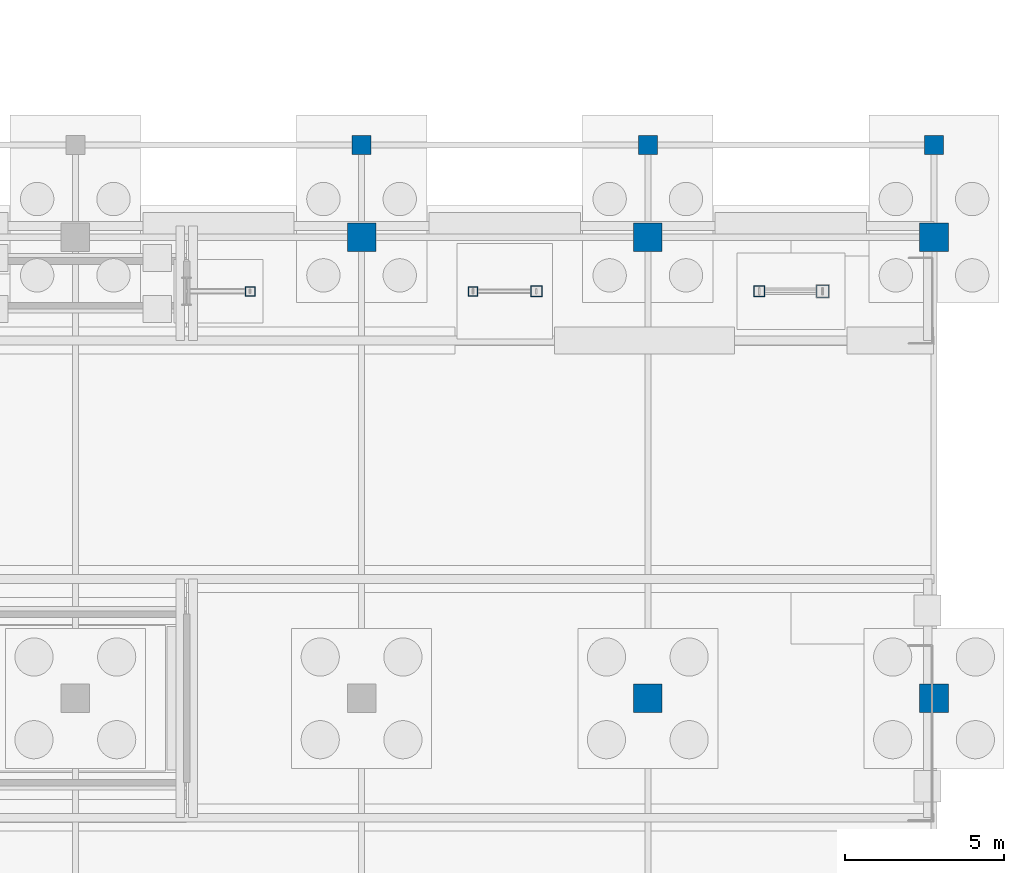
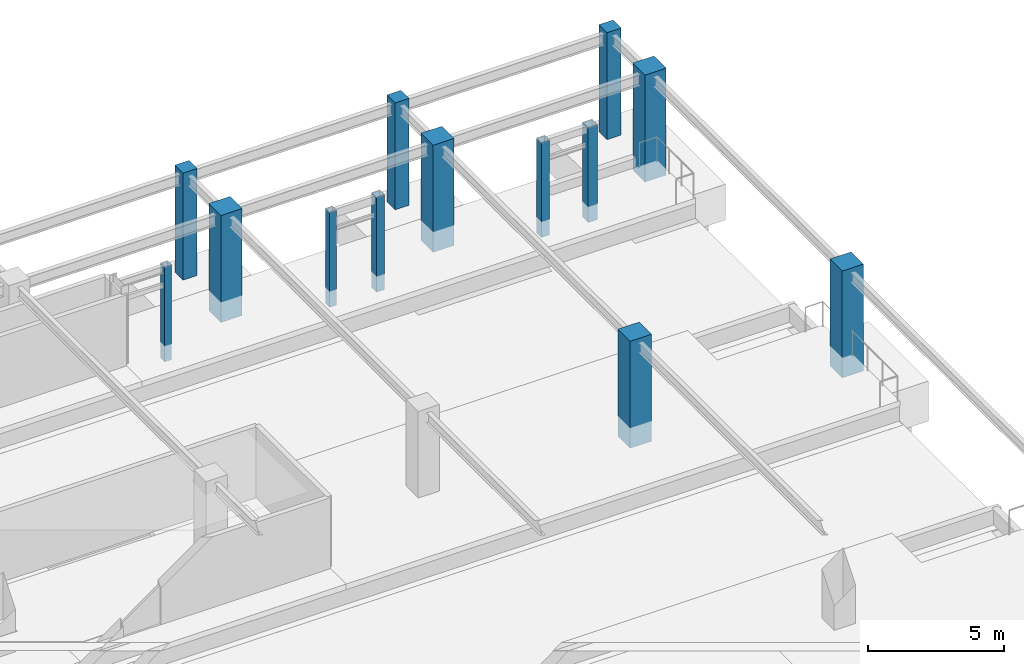
# One storey, part 36 of 160: 13 columns.
"""IFC4 building model written with IfcOpenShell, lengths in metres."""

import ifcopenshell
import ifcopenshell.guid

model = None  # the IFC model being written
_history = None  # IfcOwnerHistory: only IFC2X3 demands one
_inside = {}  # id of a spatial element -> (the spatial element, [elements in it])
_under = {}  # id of a project, library or spatial element -> (it, [spatial elements below it])
_declared = {}  # id of a project -> (the project, [libraries it declares])
_typed = {}  # id of a type object -> (the type object, [elements of that type])
_made_of = {}  # id of a material, layer set ... -> (it, [elements and type objects made of it])


def new_model(schema):
    """Start an empty IFC model of exactly this schema.

    Asked for "IFC4X3", IfcOpenShell would pick the latest addendum, in which some entities
    have other attributes; the version numbers below select the first issue.
    IFC2X3 requires an IfcOwnerHistory on every rooted entity: one is made here for all.
    """
    global model, _history
    if schema == "IFC4X3":
        model = ifcopenshell.file(schema_version=(4, 3, 0, 0))
    else:
        model = ifcopenshell.file(schema=schema)
    _inside.clear()
    _under.clear()
    _declared.clear()
    _typed.clear()
    _made_of.clear()
    _history = None
    if model.schema == "IFC2X3":
        org = make("IfcOrganization", Name="unknown")
        user = make(
            "IfcPersonAndOrganization",
            ThePerson=make("IfcPerson", FamilyName="unknown"),
            TheOrganization=org,
        )
        app = make(
            "IfcApplication",
            ApplicationDeveloper=org,
            Version="unknown",
            ApplicationFullName="unknown",
            ApplicationIdentifier="unknown",
        )
        _history = make(
            "IfcOwnerHistory",
            OwningUser=user,
            OwningApplication=app,
            ChangeAction="ADDED",
            CreationDate=0,
        )
    return model


def make(cls, **values):
    """One entity of the class cls with the attributes given. An attribute that is None is left unset."""
    return model.create_entity(
        cls, **{name: value for name, value in values.items() if value is not None}
    )


def rooted(cls, **values):
    """An entity with a GlobalId (a new one), such as an element, a storey or a relation."""
    return make(cls, GlobalId=ifcopenshell.guid.new(), OwnerHistory=_history, **values)


def si_unit(unit_type, name, prefix=None):
    """IfcSIUnit, for example si_unit("LENGTHUNIT", "METRE", prefix="MILLI")."""
    return make("IfcSIUnit", UnitType=unit_type, Prefix=prefix, Name=name)


def assignment(units):
    """IfcUnitAssignment: the units of a project."""
    return None if units is None else make("IfcUnitAssignment", Units=units)


def point(xyz):
    """IfcCartesianPoint."""
    return None if xyz is None else make("IfcCartesianPoint", Coordinates=xyz)


def direction(xyz):
    """IfcDirection."""
    return None if xyz is None else make("IfcDirection", DirectionRatios=xyz)


def frame(location, z_axis=None, x_axis=None):
    """IfcAxis2Placement3D, a coordinate frame: its origin and axes. An axis left out is left unset."""
    return make(
        "IfcAxis2Placement3D",
        Location=point(location),
        Axis=direction(z_axis),
        RefDirection=direction(x_axis),
    )


def frame_2d(location, x_axis=None):
    """IfcAxis2Placement2D, a coordinate frame in the plane: its origin and x axis."""
    return make(
        "IfcAxis2Placement2D", Location=point(location), RefDirection=direction(x_axis)
    )


def origin():
    """The frame at (0, 0, 0) with its axes left unset."""
    return frame((0.0, 0.0, 0.0))


def origin_2d():
    """The frame at (0, 0) in the plane with its x axis left unset."""
    return frame_2d((0.0, 0.0))


def place(relative_to, where):
    """IfcLocalPlacement: puts the frame where relative to a parent placement (None: the world)."""
    return make(
        "IfcLocalPlacement", PlacementRelTo=relative_to, RelativePlacement=where
    )


def context(
    kind, dimensions, precision=None, world=None, true_north=None, identifier=None
):
    """IfcGeometricRepresentationContext, for example the 3D "Model" context."""
    return make(
        "IfcGeometricRepresentationContext",
        ContextIdentifier=identifier,
        ContextType=kind,
        CoordinateSpaceDimension=dimensions,
        Precision=precision,
        WorldCoordinateSystem=world,
        TrueNorth=true_north,
    )


def subcontext(parent, identifier, kind, view, scale=None):
    """IfcGeometricRepresentationSubContext, for example "Body" below "Model"."""
    return make(
        "IfcGeometricRepresentationSubContext",
        ContextIdentifier=identifier,
        ContextType=kind,
        ParentContext=parent,
        TargetScale=scale,
        TargetView=view,
    )


def project(units=None, contexts=None):
    """IfcProject with its units and contexts."""
    return rooted(
        "IfcProject",
        Name="project",
        RepresentationContexts=contexts,
        UnitsInContext=assignment(units),
    )


def spatial(cls, under=None, at=None, **own):
    """A site, building, storey or space (cls), placed at a placement, below another one or the project."""
    s = rooted(cls, ObjectPlacement=at, **own)
    if under is not None:
        _under.setdefault(under.id(), (under, []))[1].append(s)
    return s


def profile(cls, at=None, kind="AREA", **sizes):
    """A parametric profile (cls). Its sizes go by their IFC names, for example OverallWidth=200.0."""
    return make(cls, ProfileType=kind, Position=at, **sizes)


def rectangle(**sizes):
    """IfcRectangleProfileDef."""
    return profile("IfcRectangleProfileDef", **sizes)


def hollow_rectangle(**sizes):
    """IfcRectangleHollowProfileDef."""
    return profile("IfcRectangleHollowProfileDef", **sizes)


def extrude(swept, where, along, depth):
    """IfcExtrudedAreaSolid: the profile swept, set in the frame where, extruded along a direction by depth."""
    return make(
        "IfcExtrudedAreaSolid",
        SweptArea=swept,
        Position=where,
        ExtrudedDirection=direction(along),
        Depth=depth,
    )


def shape(context_of_items, identifier, shape_type, items):
    """IfcShapeRepresentation: the items that make up one representation, for example the "Body"."""
    return make(
        "IfcShapeRepresentation",
        ContextOfItems=context_of_items,
        RepresentationIdentifier=identifier,
        RepresentationType=shape_type,
        Items=items,
    )


def material(Name=None, Category=None):
    """IfcMaterial."""
    return make("IfcMaterial", Name=Name, Category=Category)


def material_profile(
    of_material, cross_section, Name=None, Category=None, Priority=None
):
    """IfcMaterialProfile: a cross section and its material."""
    return make(
        "IfcMaterialProfile",
        Name=Name,
        Material=of_material,
        Profile=cross_section,
        Priority=Priority,
        Category=Category,
    )


def profile_set(profiles, Name=None, composite=None):
    """IfcMaterialProfileSet."""
    return make(
        "IfcMaterialProfileSet",
        Name=Name,
        MaterialProfiles=profiles,
        CompositeProfile=composite,
    )


def made_of(thing, what):
    """Note that an element or type object is made of a material, layer set ...; save() writes the relation."""
    if what is not None:
        _made_of.setdefault(what.id(), (what, []))[1].append(thing)
    return thing


def type_object(cls, material=None, **own):
    """A type object (cls), such as IfcWallType, which elements share."""
    return made_of(rooted(cls, **own), material)


def element(
    cls,
    number,
    at=None,
    inside=None,
    cuts=None,
    type_object=None,
    material=None,
    context=None,
    identifier="Body",
    shape_type=None,
    held_by="IfcProductDefinitionShape",
    body=None,
    shapes=None,
    **own,
):
    """One element of the class cls, such as IfcWall. Its Tag is "e" and its number.

    at: its placement. inside: the storey or other place that contains it. cuts: it is an
    opening in that element (IfcRelVoidsElement). A single representation is given by context,
    identifier, shape_type and body (its items); several are given by shapes. held_by: the class
    of the entity that holds the representations. save() writes the other relations.
    """
    e = rooted(cls, Tag="e%d" % number, ObjectPlacement=at, **own)
    if body is not None:
        shapes = [shape(context, identifier, shape_type, body)]
    if shapes is not None:
        e.Representation = make(held_by, Representations=shapes)
    if inside is not None:
        _inside.setdefault(inside.id(), (inside, []))[1].append(e)
    if cuts is not None:
        rooted(
            "IfcRelVoidsElement", RelatingBuildingElement=cuts, RelatedOpeningElement=e
        )
    if type_object is not None:
        _typed.setdefault(type_object.id(), (type_object, []))[1].append(e)
    return made_of(e, material)


def aggregate(whole, parts):
    """IfcRelAggregates: a whole, such as a stair, and the parts it consists of."""
    return rooted("IfcRelAggregates", RelatingObject=whole, RelatedObjects=parts)


def save(model, path):
    """Write the relations noted so far, then the file.

    IfcRelAggregates (storeys below a building ...), IfcRelContainedInSpatialStructure (elements
    in a storey), IfcRelDefinesByType, IfcRelAssociatesMaterial and IfcRelDeclares: one each for
    every whole, place, type object, material and project.
    """
    for whole, parts in _under.values():
        aggregate(whole, parts)
    for where, things in _inside.values():
        rooted(
            "IfcRelContainedInSpatialStructure",
            RelatedElements=things,
            RelatingStructure=where,
        )
    for kind, things in _typed.values():
        rooted("IfcRelDefinesByType", RelatedObjects=things, RelatingType=kind)
    for what, things in _made_of.values():
        rooted("IfcRelAssociatesMaterial", RelatedObjects=things, RelatingMaterial=what)
    for by, libraries in _declared.values():
        rooted("IfcRelDeclares", RelatingContext=by, RelatedDefinitions=libraries)
    model.write(path)


model = new_model("IFC4")

# Units and contexts
model_context = context("Model", 3, precision=1e-05, world=origin(), true_north=direction((0.0, 1.0)))
body_context = subcontext(model_context, "Body", "Model", "MODEL_VIEW")
ifc_project = project(units=[si_unit("LENGTHUNIT", "METRE"), si_unit("AREAUNIT", "SQUARE_METRE"), si_unit("VOLUMEUNIT", "CUBIC_METRE"), si_unit("PLANEANGLEUNIT", "RADIAN"), si_unit("MASSUNIT", "GRAM", prefix="KILO")], contexts=[model_context])

# Site, building, storey
site_placement = place(None, origin())
site = spatial("IfcSite", under=ifc_project, at=site_placement, CompositionType="ELEMENT")
building_placement = place(site_placement, origin())
building = spatial("IfcBuilding", under=site, at=building_placement, Name="Marlcrest Central Station", CompositionType="ELEMENT")
storey_placement = place(building_placement, origin())
storey = spatial("IfcBuildingStorey", under=building, at=storey_placement, Name="L00", CompositionType="ELEMENT", Elevation=0.0)

# Columns
ifc_material_1 = material(Name="Concrete C50/60", Category="concrete")
ifc_material_profile_1 = material_profile(ifc_material_1, rectangle(XDim=0.60009765625, YDim=0.60009765625, at=origin_2d()), Name="RC 600x600")
ifc_profile_set_1 = profile_set([ifc_material_profile_1], Name="Concrete C50/60")
column_type_1 = type_object("IfcColumnType", Name="RC-04", PredefinedType="COLUMN", material=ifc_profile_set_1)
for number, where, z_axis, x_axis, name in (
    (1, (198.0, 98.39990234375, 0.0), (0.0, 0.0, 1.0), (1.0, 0.0, 0.0), "col-RC-04-L00-0588"),
    (2, (207.0, 98.39990234375, 0.0), (0.0, 0.0, 1.0), (1.0, 0.0, 0.0), "col-RC-04-L00-0599"),
    (3, (216.0, 98.39990234375, 0.0), (0.0, 0.0, 1.0), (1.0, 0.0, 0.0), "col-RC-04-L00-0610"),
):
    element("IfcColumn", number, at=place(storey_placement, frame(where, z_axis=z_axis, x_axis=x_axis)), inside=storey, type_object=column_type_1, Name=name, PredefinedType="COLUMN", context=body_context, shape_type="SweptSolid", body=[
        extrude(rectangle(XDim=0.60009765625, YDim=0.60009765625, at=origin_2d()), origin(), (0.0, 0.0, 1.0), 4.800048828125),
    ])
ifc_material_profile_2 = material_profile(ifc_material_1, rectangle(XDim=0.89990234375, YDim=0.89990234375, at=origin_2d()), Name="RC 900x900")
ifc_profile_set_2 = profile_set([ifc_material_profile_2], Name="Concrete C50/60")
column_type_2 = type_object("IfcColumnType", Name="RC-08", PredefinedType="COLUMN", material=ifc_profile_set_2)
for number, where, z_axis, x_axis, name in (
    (4, (198.0, 95.5, 0.0), (0.0, 0.0, 1.0), (1.0, 0.0, 0.0), "col-RC-08-L00-0586"),
    (5, (207.0, 81.0, 0.0), (0.0, 0.0, 1.0), (1.0, 0.0, 0.0), "col-RC-08-L00-0595"),
    (6, (207.0, 95.5, 0.0), (0.0, 0.0, 1.0), (1.0, 0.0, 0.0), "col-RC-08-L00-0597"),
    (7, (216.0, 81.0, 0.0), (0.0, 0.0, 1.0), (1.0, 0.0, 0.0), "col-RC-08-L00-0606"),
    (8, (216.0, 95.5, 0.0), (0.0, 0.0, 1.0), (1.0, 0.0, 0.0), "col-RC-08-L00-0608"),
):
    element("IfcColumn", number, at=place(storey_placement, frame(where, z_axis=z_axis, x_axis=x_axis)), inside=storey, type_object=column_type_2, Name=name, PredefinedType="COLUMN", context=body_context, shape_type="SweptSolid", body=[
        extrude(rectangle(XDim=0.89990234375, YDim=0.89990234375, at=origin_2d()), origin(), (0.0, 0.0, 1.0), 4.800048828125),
    ])
ifc_material_2 = material(Name="Steel S355", Category="steel")
ifc_material_profile_3 = material_profile(ifc_material_2, hollow_rectangle(XDim=0.300048828125, YDim=0.300048828125, WallThickness=0.01611328125, at=origin_2d()), Name="SHS 300x300x16")
ifc_profile_set_3 = profile_set([ifc_material_profile_3], Name="Steel S355")
column_type_3 = type_object("IfcColumnType", Name="SC-19", PredefinedType="COLUMN", material=ifc_profile_set_3)
for number, where, z_axis, x_axis, name in (
    (9, (194.5, 93.800048828125, 0.199951171875), (0.0, 0.0, 1.0), (1.0, 0.0, 0.0), "col-SC-19-L00-0928"),
    (10, (201.5, 93.800048828125, 0.199951171875), (0.0, 0.0, 1.0), (1.0, 0.0, 0.0), "col-SC-19-L00-0931"),
):
    element("IfcColumn", number, at=place(storey_placement, frame(where, z_axis=z_axis, x_axis=x_axis)), inside=storey, type_object=column_type_3, Name=name, PredefinedType="COLUMN", context=body_context, shape_type="SweptSolid", body=[
        extrude(hollow_rectangle(XDim=0.300048828125, YDim=0.300048828125, WallThickness=0.01611328125, at=origin_2d()), origin(), (0.0, 0.0, 1.0), 4.25),
    ])
ifc_material_profile_4 = material_profile(ifc_material_2, hollow_rectangle(XDim=0.35009765625, YDim=0.35009765625, WallThickness=0.01611328125, at=origin_2d()), Name="SHS 350x350x16")
ifc_profile_set_4 = profile_set([ifc_material_profile_4], Name="Steel S355")
column_type_4 = type_object("IfcColumnType", Name="SC-20", PredefinedType="COLUMN", material=ifc_profile_set_4)
for number, where, z_axis, x_axis, name in (
    (11, (203.5, 93.800048828125, 0.199951171875), (0.0, 0.0, 1.0), (1.0, 0.0, 0.0), "col-SC-20-L00-0932"),
    (12, (210.5, 93.800048828125, 0.199951171875), (0.0, 0.0, 1.0), (1.0, 0.0, 0.0), "col-SC-20-L00-0935"),
):
    element("IfcColumn", number, at=place(storey_placement, frame(where, z_axis=z_axis, x_axis=x_axis)), inside=storey, type_object=column_type_4, Name=name, PredefinedType="COLUMN", context=body_context, shape_type="SweptSolid", body=[
        extrude(hollow_rectangle(XDim=0.35009765625, YDim=0.35009765625, WallThickness=0.01611328125, at=origin_2d()), origin(), (0.0, 0.0, 1.0), 4.25),
    ])
ifc_material_profile_5 = material_profile(ifc_material_2, hollow_rectangle(XDim=0.39990234375, YDim=0.39990234375, WallThickness=0.02001953125, at=origin_2d()), Name="SHS 400x400x20")
ifc_profile_set_5 = profile_set([ifc_material_profile_5], Name="Steel S355")
column_type_5 = type_object("IfcColumnType", Name="SC-21", PredefinedType="COLUMN", material=ifc_profile_set_5)
column_placement = place(storey_placement, frame((212.5, 93.800048828125, 0.199951171875), z_axis=(0.0, 0.0, 1.0), x_axis=(1.0, 0.0, 0.0)))
element("IfcColumn", 13, at=column_placement, inside=storey, type_object=column_type_5, Name="col-SC-21-L00-0936", PredefinedType="COLUMN", context=body_context, shape_type="SweptSolid", body=[
    extrude(hollow_rectangle(XDim=0.39990234375, YDim=0.39990234375, WallThickness=0.02001953125, at=origin_2d()), origin(), (0.0, 0.0, 1.0), 4.25),
])

save(model, "model.ifc")
